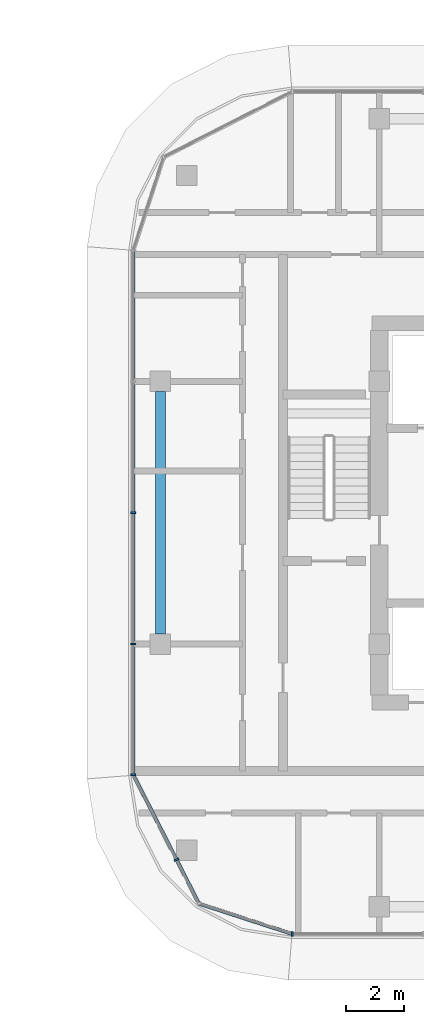
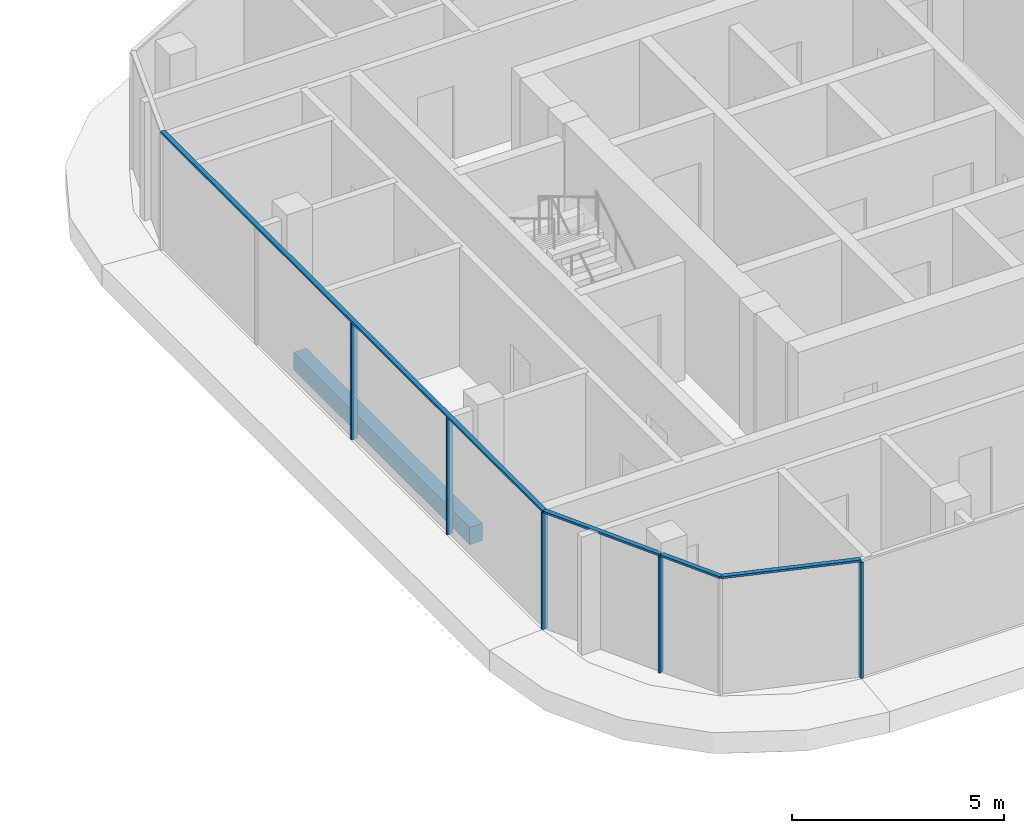
# One storey, part 8 of 40: 9 members, 1 beam, 4 elements without a shape of their own.
"""IFC4 building model written with IfcOpenShell, lengths in metres."""

from ifc_helpers import new_model, si_unit, direction, frame, origin, origin_2d, place, context, subcontext, project, spatial, rectangle, extrude, material, material_profile, profile_set, type_object, element, aggregate, save


model = new_model("IFC4")

# Units and contexts
model_context = context("Model", 3, precision=1e-05, world=origin(), true_north=direction((0.0, 1.0)))
body_context = subcontext(model_context, "Body", "Model", "MODEL_VIEW")
ifc_project = project(units=[si_unit("LENGTHUNIT", "METRE"), si_unit("AREAUNIT", "SQUARE_METRE"), si_unit("VOLUMEUNIT", "CUBIC_METRE"), si_unit("PLANEANGLEUNIT", "RADIAN"), si_unit("MASSUNIT", "GRAM", prefix="KILO")], contexts=[model_context])

# Site, building, storey
site_placement = place(None, origin())
site = spatial("IfcSite", under=ifc_project, at=site_placement, CompositionType="ELEMENT")
building_placement = place(site_placement, origin())
building = spatial("IfcBuilding", under=site, at=building_placement, Name="Ogive Portal Towers", CompositionType="ELEMENT")
storey_placement = place(building_placement, frame((0.0, 0.0, 87.10009765625)))
storey = spatial("IfcBuildingStorey", under=building, at=storey_placement, Name="L20", CompositionType="ELEMENT", Elevation=87.10009765625)

# Curtain wall, member
ifc_material_1 = material(Name="Glass, clear low-iron insulated glazing", Category="glass")
curtain_wall_type = type_object("IfcCurtainWallType", Name="CW RESIDENCES RIBBON", PredefinedType="NOTDEFINED", material=ifc_material_1)
curtain_wall_1_placement = place(storey_placement, origin())
curtain_wall_1 = element("IfcCurtainWall", 1, at=curtain_wall_1_placement, inside=storey, type_object=curtain_wall_type, Name="B:L20:f02:cw0", PredefinedType="NOTDEFINED")
ifc_material_2 = material(Name="Aluminium 6063 anodised", Category="aluminium")
ifc_material_profile_1 = material_profile(ifc_material_2, rectangle(XDim=0.159912109375, YDim=0.06005859375, at=origin_2d()), Name="AL 60x160")
ifc_profile_set_1 = profile_set([ifc_material_profile_1], Name="Aluminium 6063 anodised")
member_type_1 = type_object("IfcMemberType", Name="CW MULLION 60x160", PredefinedType="MULLION", material=ifc_profile_set_1)
member_1_placement = place(storey_placement, frame((126.0126953125, 16.570068359375, 0.0), z_axis=(0.0, 0.0, 1.0), x_axis=(0.0, 1.0, 0.0)))
member_1 = element("IfcMember", 2, at=member_1_placement, type_object=member_type_1, Name="mullion", PredefinedType="MULLION", context=body_context, shape_type="SweptSolid", body=[
    extrude(rectangle(XDim=0.159912109375, YDim=0.06005859375, at=origin_2d()), origin(), (0.0, 0.0, 1.0), 3.33984375),
])
aggregate(curtain_wall_1, [member_1])

# Curtain wall, members
curtain_wall_2_placement = place(storey_placement, origin())
curtain_wall_2 = element("IfcCurtainWall", 3, at=curtain_wall_2_placement, inside=storey, type_object=curtain_wall_type, Name="B:L20:f11:cw0", PredefinedType="NOTDEFINED")
member_2_placement = place(storey_placement, frame((120.570068359375, 31.0, 0.0), z_axis=(0.0, 0.0, 1.0), x_axis=(1.0, 0.0, 0.0)))
member_2 = element("IfcMember", 4, at=member_2_placement, type_object=member_type_1, Name="mullion", PredefinedType="MULLION", context=body_context, shape_type="SweptSolid", body=[
    extrude(rectangle(XDim=0.159912109375, YDim=0.06005859375, at=origin_2d()), origin(), (0.0, 0.0, 1.0), 3.33984375),
])
member_3_placement = place(storey_placement, frame((120.570068359375, 26.5, 0.0), z_axis=(0.0, 0.0, 1.0), x_axis=(1.0, 0.0, 0.0)))
member_3 = element("IfcMember", 5, at=member_3_placement, type_object=member_type_1, Name="mullion", PredefinedType="MULLION", context=body_context, shape_type="SweptSolid", body=[
    extrude(rectangle(XDim=0.159912109375, YDim=0.06005859375, at=origin_2d()), origin(), (0.0, 0.0, 1.0), 3.33984375),
])
member_4_placement = place(storey_placement, frame((120.570068359375, 22.019287109375, 0.0), z_axis=(0.0, 0.0, 1.0), x_axis=(1.0, 0.0, 0.0)))
member_4 = element("IfcMember", 6, at=member_4_placement, type_object=member_type_1, Name="mullion", PredefinedType="MULLION", context=body_context, shape_type="SweptSolid", body=[
    extrude(rectangle(XDim=0.159912109375, YDim=0.06005859375, at=origin_2d()), origin(), (0.0, 0.0, 1.0), 3.33984375),
])

# Curtain wall, member
curtain_wall_3_placement = place(storey_placement, origin())
curtain_wall_3 = element("IfcCurtainWall", 7, at=curtain_wall_3_placement, inside=storey, type_object=curtain_wall_type, Name="B:L20:f00:cwa~0", PredefinedType="NOTDEFINED")
member_5_placement = place(storey_placement, frame((122.051025390625, 19.112548828125, 0.0), z_axis=(0.0, 0.0, 1.0), x_axis=(0.891006524188, 0.45399049974, 0.0)))
member_5 = element("IfcMember", 8, at=member_5_placement, type_object=member_type_1, Name="mullion", PredefinedType="MULLION", context=body_context, shape_type="SweptSolid", body=[
    extrude(rectangle(XDim=0.159912109375, YDim=0.06005859375, at=origin_2d()), origin(), (0.0, 0.0, 1.0), 3.33984375),
])

# Member
ifc_material_profile_2 = material_profile(ifc_material_2, rectangle(XDim=0.1201171875, YDim=0.06005859375, at=origin_2d()), Name="AL 120x60")
ifc_profile_set_2 = profile_set([ifc_material_profile_2], Name="Aluminium 6063 anodised")
member_type_2 = type_object("IfcMemberType", Name="CW TRANSOM 60x120", PredefinedType="USERDEFINED", material=ifc_profile_set_2)
member_6_placement = place(storey_placement, frame((120.570068359375, 39.9873046875, 3.369873046875), z_axis=(0.0, -1.0, 0.0), x_axis=(1.0, 0.0, 0.0)))
member_6 = element("IfcMember", 9, at=member_6_placement, type_object=member_type_2, Name="transom", ObjectType="TRANSOM", PredefinedType="USERDEFINED", context=body_context, shape_type="SweptSolid", body=[
    extrude(rectangle(XDim=0.1201171875, YDim=0.06005859375, at=origin_2d()), origin(), (0.0, 0.0, 1.0), 17.968017578125),
])

aggregate(curtain_wall_2, [member_6, member_2, member_3, member_4])

member_7_placement = place(storey_placement, frame((120.570068359375, 22.019287109375, 3.369873046875), z_axis=(0.453966140065, -0.891018935643, 0.0), x_axis=(0.891018935643, 0.453966140065, 0.0)))
member_7 = element("IfcMember", 10, at=member_7_placement, type_object=member_type_2, Name="transom", ObjectType="TRANSOM", PredefinedType="USERDEFINED", context=body_context, shape_type="SweptSolid", body=[
    extrude(rectangle(XDim=0.1201171875, YDim=0.06005859375, at=origin_2d()), origin(), (0.0, 0.0, 1.0), 3.26220703125),
])

aggregate(curtain_wall_3, [member_7, member_5])

# Curtain wall, members
curtain_wall_4_placement = place(storey_placement, origin())
curtain_wall_4 = element("IfcCurtainWall", 11, at=curtain_wall_4_placement, inside=storey, type_object=curtain_wall_type, Name="B:L20:f00:cwa~1", PredefinedType="NOTDEFINED")
member_8_placement = place(storey_placement, frame((122.0615234375, 19.092041015625, 3.369873046875), z_axis=(0.45400264024, -0.89100033819, 0.0), x_axis=(0.89100033819, 0.45400264024, 0.0)))
member_8 = element("IfcMember", 12, at=member_8_placement, type_object=member_type_2, Name="transom", ObjectType="TRANSOM", PredefinedType="USERDEFINED", context=body_context, shape_type="SweptSolid", body=[
    extrude(rectangle(XDim=0.1201171875, YDim=0.06005859375, at=origin_2d()), origin(), (0.0, 0.0, 1.0), 1.66552734375),
])
member_9_placement = place(storey_placement, frame((122.817626953125, 17.608154296875, 3.369873046875), z_axis=(0.951061301714, -0.309002265981, 0.0), x_axis=(0.309002265981, 0.951061301714, 0.0)))
member_9 = element("IfcMember", 13, at=member_9_placement, type_object=member_type_2, Name="transom", ObjectType="TRANSOM", PredefinedType="USERDEFINED", context=body_context, shape_type="SweptSolid", body=[
    extrude(rectangle(XDim=0.1201171875, YDim=0.06005859375, at=origin_2d()), origin(), (0.0, 0.0, 1.0), 3.359375),
])
aggregate(curtain_wall_4, [member_8, member_9])

# Beam
ifc_material_3 = material(Name="Concrete C50/60", Category="concrete")
ifc_material_profile_3 = material_profile(ifc_material_3, rectangle(XDim=0.35009765625, YDim=0.5, at=origin_2d()), Name="RC 350x500")
ifc_profile_set_3 = profile_set([ifc_material_profile_3], Name="Concrete C50/60")
beam_type = type_object("IfcBeamType", Name="SPANDREL BEAM RC 350x500", PredefinedType="BEAM", material=ifc_profile_set_3)
beam_placement = place(storey_placement, frame((121.5, 35.14990234375, -0.550048828125), z_axis=(0.0, -1.0, 0.0), x_axis=(1.0, 0.0, 0.0)))
element("IfcBeam", 14, at=beam_placement, inside=storey, type_object=beam_type, Name="Spandrel beam L20", PredefinedType="BEAM", context=body_context, shape_type="SweptSolid", body=[
    extrude(rectangle(XDim=0.35009765625, YDim=0.5, at=origin_2d()), origin(), (0.0, 0.0, 1.0), 8.2998046875),
])

save(model, "model.ifc")
